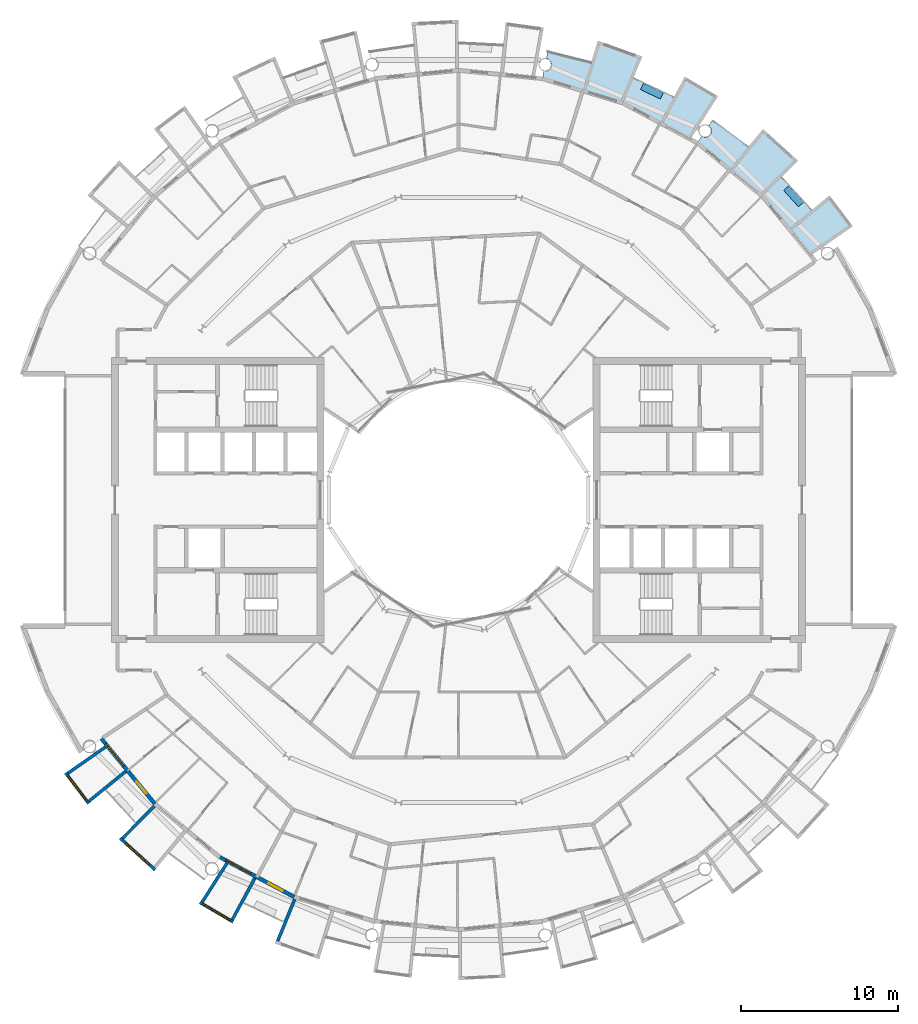
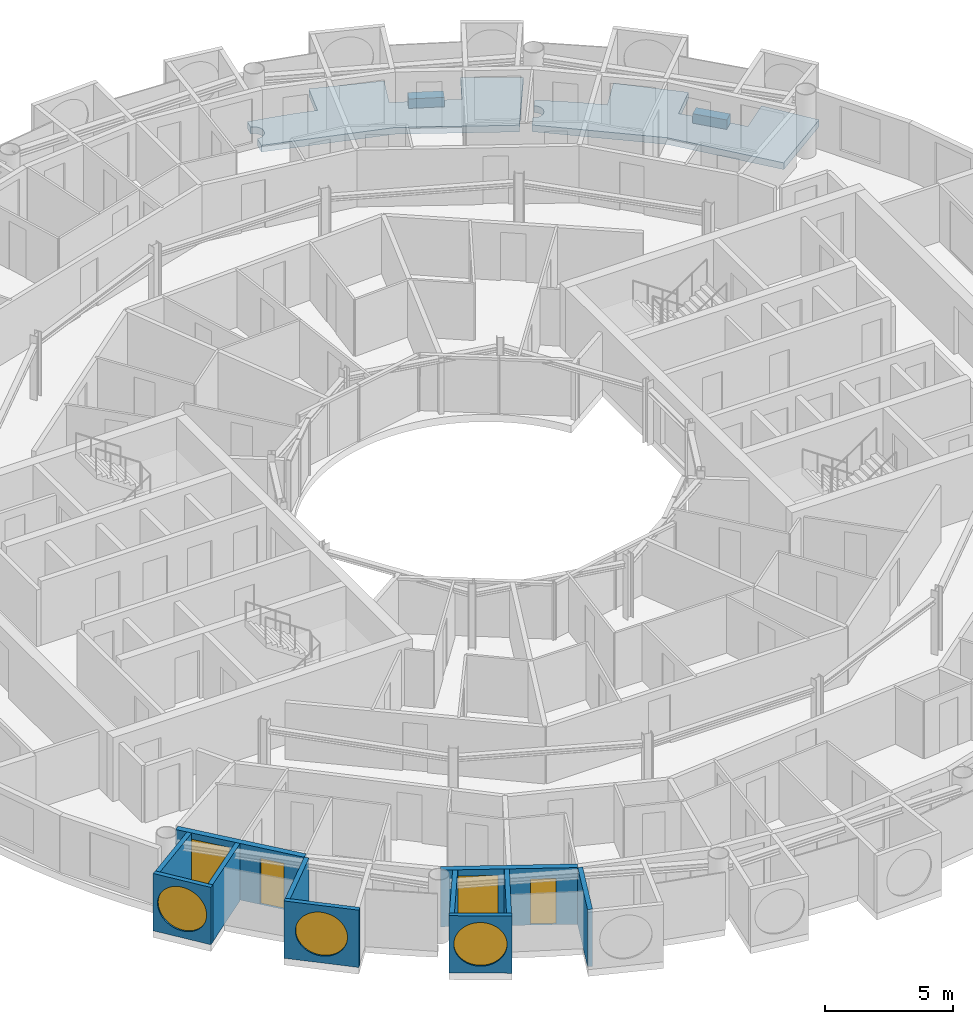
# One storey, part 14 of 29: 11 walls, 5 windows, 4 slabs, 2 doors, 7 openings.
"""IFC4 building model written with IfcOpenShell, lengths in metres."""

from ifc_helpers import new_model, si_unit, direction, frame, frame_2d, origin, place, context, subcontext, project, spatial, polyline, rectangle, circle, outline, extrude, material, layer, layer_set, type_object, element, fill, save


model = new_model("IFC4")

# Units and contexts
model_context = context("Model", 3, precision=1e-05, world=origin(), true_north=direction((0.0, 1.0)))
body_context = subcontext(model_context, "Body", "Model", "MODEL_VIEW")
ifc_project = project(units=[si_unit("LENGTHUNIT", "METRE"), si_unit("AREAUNIT", "SQUARE_METRE"), si_unit("VOLUMEUNIT", "CUBIC_METRE"), si_unit("PLANEANGLEUNIT", "RADIAN"), si_unit("MASSUNIT", "GRAM", prefix="KILO")], contexts=[model_context])

# Site, building, storey
site_placement = place(None, origin())
site = spatial("IfcSite", under=ifc_project, at=site_placement, CompositionType="ELEMENT")
building_placement = place(site_placement, origin())
building = spatial("IfcBuilding", under=site, at=building_placement, Name="Maasbend Ring Residences", CompositionType="ELEMENT")
storey_placement = place(building_placement, frame((0.0, 0.0, 202.39990234375)))
storey = spatial("IfcBuildingStorey", under=building, at=storey_placement, Name="L58", CompositionType="ELEMENT", Elevation=202.39990234375)

# Slabs
ifc_material_1 = material(Name="Planting with climbing greenery")
ifc_layer_1 = layer(ifc_material_1, 0.449951171875)
ifc_layer_set_1 = layer_set([ifc_layer_1], Name="PLANTER-LG")
slab_type_1 = type_object("IfcSlabType", Name="PLANTER-LG", PredefinedType="USERDEFINED", material=ifc_layer_set_1)
slab_1_placement = place(storey_placement, frame((0.0, 0.0, -0.02978515625)))
element("IfcSlab", 1, at=slab_1_placement, inside=storey, type_object=slab_type_1, Name="Planter with climbing greenery 1", ObjectType="PLANTER", PredefinedType="USERDEFINED", context=body_context, shape_type="SweptSolid", body=[
    extrude(outline(polyline([(21.931884765625, 18.93310546875), (20.991943359375, 19.969970703125), (20.657958984375, 19.66796875), (21.597900390625, 18.631103515625), (21.931884765625, 18.93310546875)])), origin(), (0.0, 0.0, 1.0), 0.449951171875),
])
slab_2_placement = place(storey_placement, frame((0.0, 0.0, -0.02978515625)))
element("IfcSlab", 2, at=slab_2_placement, inside=storey, type_object=slab_type_1, Name="Planter with climbing greenery 2", ObjectType="PLANTER", PredefinedType="USERDEFINED", context=body_context, shape_type="SweptSolid", body=[
    extrude(outline(polyline([(13.01708984375, 25.885009765625), (11.7509765625, 26.48291015625), (11.55908203125, 26.076904296875), (12.824951171875, 25.47802734375), (13.01708984375, 25.885009765625)])), origin(), (0.0, 0.0, 1.0), 0.449951171875),
])
ifc_material_2 = material(Name="Concrete C40/50", Category="concrete")
ifc_layer_2 = layer(ifc_material_2, 0.199951171875)
ifc_layer_set_2 = layer_set([ifc_layer_2], Name="Concrete C40/50")
slab_type_2 = type_object("IfcSlabType", Name="SL-LOGGIA", PredefinedType="FLOOR", material=ifc_layer_set_2)
slab_3_placement = place(storey_placement, frame((0.0, 0.0, -0.349853515625)))
element("IfcSlab", 3, at=slab_3_placement, inside=storey, type_object=slab_type_2, Name="Loggia floor 2", PredefinedType="FLOOR", context=body_context, shape_type="SweptSolid", body=[
    extrude(outline(polyline([(5.451904296875, 27.2548828125), (5.4619140625, 27.25390625), (5.471923828125, 27.2529296875), (5.48193359375, 27.251953125), (5.491943359375, 27.251953125), (5.501953125, 27.251953125), (5.510986328125, 27.251953125), (5.52099609375, 27.251953125), (5.531005859375, 27.2529296875), (5.541015625, 27.25390625), (5.551025390625, 27.2548828125), (5.56103515625, 27.256103515625), (5.571044921875, 27.258056640625), (5.5810546875, 27.259033203125), (5.591064453125, 27.260986328125), (5.60009765625, 27.263916015625), (5.610107421875, 27.26611328125), (5.6201171875, 27.26904296875), (5.62890625, 27.27197265625), (5.637939453125, 27.27490234375), (5.64794921875, 27.279052734375), (5.656982421875, 27.282958984375), (5.666015625, 27.285888671875), (5.675048828125, 27.291015625), (5.68408203125, 27.294921875), (5.693115234375, 27.300048828125), (5.701904296875, 27.303955078125), (5.7099609375, 27.30908203125), (5.718994140625, 27.31494140625), (5.72705078125, 27.320068359375), (5.736083984375, 27.325927734375), (5.743896484375, 27.33203125), (5.751953125, 27.337890625), (5.759033203125, 27.343994140625), (5.76708984375, 27.35009765625), (5.77392578125, 27.35693359375), (5.781982421875, 27.364013671875), (5.7890625, 27.37109375), (5.7958984375, 27.3779296875), (5.802978515625, 27.385009765625), (5.80908203125, 27.39306640625), (5.81591796875, 27.39990234375), (5.822021484375, 27.407958984375), (5.827880859375, 27.416015625), (5.833984375, 27.424072265625), (5.839111328125, 27.431884765625), (5.844970703125, 27.44091796875), (5.85009765625, 27.448974609375), (5.85498046875, 27.4580078125), (5.860107421875, 27.466064453125), (5.864990234375, 27.47509765625), (5.868896484375, 27.48388671875), (5.873046875, 27.492919921875), (5.876953125, 27.5029296875), (5.881103515625, 27.511962890625), (5.884033203125, 27.52099609375), (5.886962890625, 27.531005859375), (5.889892578125, 27.5400390625), (5.89306640625, 27.550048828125), (5.89599609375, 27.55908203125), (5.89794921875, 27.569091796875), (5.89990234375, 27.5791015625), (5.902099609375, 27.589111328125), (5.904052734375, 27.597900390625), (5.905029296875, 27.60791015625), (5.906005859375, 27.617919921875), (5.906982421875, 27.6279296875), (5.907958984375, 27.637939453125), (5.907958984375, 27.64794921875), (5.907958984375, 27.657958984375), (5.907958984375, 27.66796875), (5.907958984375, 27.677978515625), (5.906982421875, 27.68798828125), (5.906005859375, 27.697998046875), (5.905029296875, 27.7080078125), (5.904052734375, 27.718017578125), (5.902099609375, 27.72802734375), (5.89990234375, 27.737060546875), (5.89794921875, 27.7470703125), (5.89599609375, 27.757080078125), (5.89306640625, 27.76708984375), (5.889892578125, 27.77587890625), (5.886962890625, 27.785888671875), (5.884033203125, 27.794921875), (5.881103515625, 27.803955078125), (5.876953125, 27.81396484375), (5.873046875, 27.822998046875), (5.868896484375, 27.83203125), (5.864990234375, 27.841064453125), (5.860107421875, 27.85009765625), (5.85498046875, 27.85791015625), (5.85009765625, 27.866943359375), (5.844970703125, 27.8759765625), (5.839111328125, 27.884033203125), (5.833984375, 27.89208984375), (5.827880859375, 27.89990234375), (5.822021484375, 27.907958984375), (5.81591796875, 27.916015625), (5.80908203125, 27.924072265625), (5.802978515625, 27.930908203125), (5.7958984375, 27.93798828125), (5.7890625, 27.946044921875), (5.781982421875, 27.952880859375), (5.77392578125, 27.958984375), (5.76708984375, 27.966064453125), (5.759033203125, 27.971923828125), (5.751953125, 27.97900390625), (5.743896484375, 27.985107421875), (5.736083984375, 27.989990234375), (5.72705078125, 27.99609375), (5.718994140625, 28.001953125), (5.7099609375, 28.007080078125), (5.701904296875, 28.011962890625), (5.693115234375, 28.01708984375), (5.68408203125, 28.02099609375), (5.675048828125, 28.02587890625), (5.666015625, 28.030029296875), (5.656982421875, 28.033935546875), (5.64794921875, 28.037109375), (5.637939453125, 28.041015625), (5.62890625, 28.0439453125), (5.6201171875, 28.047119140625), (5.610107421875, 28.050048828125), (5.60009765625, 28.052001953125), (5.591064453125, 28.054931640625), (5.5810546875, 28.056884765625), (5.657958984375, 28.443115234375), (5.657958984375, 28.443115234375), (5.657958984375, 28.443115234375), (6.5849609375, 28.241943359375), (6.5849609375, 28.241943359375), (7.506103515625, 28.011962890625), (7.506103515625, 28.011962890625), (8.41796875, 27.7509765625), (8.41796875, 27.7509765625), (8.41796875, 27.7509765625), (8.41796875, 27.7509765625), (8.41796875, 27.7509765625), (8.41796875, 27.7509765625), (8.41796875, 27.7509765625), (8.41796875, 27.7509765625), (8.41796875, 27.7509765625), (8.41796875, 27.7509765625), (8.41796875, 27.751953125), (8.41796875, 27.751953125), (8.41796875, 27.751953125), (8.41796875, 27.751953125), (8.41796875, 27.751953125), (8.41796875, 27.751953125), (8.41796875, 27.751953125), (8.85400390625, 29.18701171875), (8.85400390625, 29.18701171875), (8.85400390625, 29.18701171875), (11.672119140625, 28.177978515625), (11.672119140625, 28.177978515625), (11.672119140625, 28.177978515625), (11.097900390625, 26.79296875), (11.097900390625, 26.79296875), (11.097900390625, 26.79296875), (11.097900390625, 26.79296875), (11.097900390625, 26.79296875), (11.097900390625, 26.79296875), (11.097900390625, 26.79296875), (11.097900390625, 26.79296875), (11.097900390625, 26.79296875), (11.097900390625, 26.79296875), (11.097900390625, 26.7919921875), (11.097900390625, 26.7919921875), (11.097900390625, 26.7919921875), (11.097900390625, 26.7919921875), (11.097900390625, 26.7919921875), (11.097900390625, 26.7919921875), (11.097900390625, 26.7919921875), (11.968994140625, 26.4150390625), (11.968994140625, 26.4150390625), (12.825927734375, 26.009033203125), (12.825927734375, 26.009033203125), (13.669921875, 25.575927734375), (13.669921875, 25.575927734375), (13.669921875, 25.575927734375), (13.669921875, 25.575927734375), (13.669921875, 25.575927734375), (13.669921875, 25.575927734375), (13.669921875, 25.575927734375), (13.669921875, 25.575927734375), (13.669921875, 25.575927734375), (13.669921875, 25.575927734375), (13.6708984375, 25.575927734375), (13.6708984375, 25.575927734375), (13.6708984375, 25.575927734375), (13.6708984375, 25.575927734375), (13.6708984375, 25.575927734375), (13.6708984375, 25.575927734375), (13.6708984375, 25.575927734375), (14.3779296875, 26.89892578125), (14.3779296875, 26.89892578125), (14.3779296875, 26.89892578125), (16.487060546875, 25.659912109375), (16.487060546875, 25.659912109375), (16.487060546875, 25.659912109375), (14.73291015625, 22.930908203125), (14.73291015625, 22.930908203125), (14.73291015625, 22.930908203125), (12.806884765625, 23.9609375), (10.447021484375, 25.221923828125), (10.447021484375, 25.221923828125), (10.447021484375, 25.221923828125), (7.886962890625, 25.9990234375), (5.325927734375, 26.77490234375), (5.325927734375, 26.77490234375), (5.325927734375, 26.77490234375), (5.422119140625, 27.259033203125), (5.431884765625, 27.258056640625), (5.44189453125, 27.256103515625), (5.451904296875, 27.2548828125)])), origin(), (0.0, 0.0, 1.0), 0.320068359375),
])
slab_4_placement = place(storey_placement, frame((0.0, 0.0, -0.349853515625)))
element("IfcSlab", 4, at=slab_4_placement, inside=storey, type_object=slab_type_2, Name="Loggia floor 5", PredefinedType="FLOOR", context=body_context, shape_type="SweptSolid", body=[
    extrude(outline(polyline([(15.4580078125, 23.09912109375), (15.467041015625, 23.093994140625), (15.47509765625, 23.089111328125), (15.48388671875, 23.083984375), (15.492919921875, 23.080078125), (15.501953125, 23.075927734375), (15.511962890625, 23.072021484375), (15.52099609375, 23.068115234375), (15.530029296875, 23.06494140625), (15.5400390625, 23.06103515625), (15.549072265625, 23.05810546875), (15.55908203125, 23.055908203125), (15.568115234375, 23.052978515625), (15.577880859375, 23.051025390625), (15.587890625, 23.049072265625), (15.597900390625, 23.047119140625), (15.60693359375, 23.044921875), (15.616943359375, 23.0439453125), (15.626953125, 23.04296875), (15.636962890625, 23.0419921875), (15.64697265625, 23.041015625), (15.656982421875, 23.041015625), (15.6669921875, 23.041015625), (15.677001953125, 23.041015625), (15.68701171875, 23.041015625), (15.697021484375, 23.0419921875), (15.70703125, 23.04296875), (15.717041015625, 23.0439453125), (15.72705078125, 23.044921875), (15.737060546875, 23.047119140625), (15.74609375, 23.049072265625), (15.756103515625, 23.051025390625), (15.76611328125, 23.052978515625), (15.77587890625, 23.055908203125), (15.784912109375, 23.05810546875), (15.794921875, 23.06103515625), (15.803955078125, 23.06494140625), (15.81298828125, 23.068115234375), (15.822998046875, 23.072021484375), (15.83203125, 23.075927734375), (15.841064453125, 23.080078125), (15.85009765625, 23.083984375), (15.85888671875, 23.089111328125), (15.866943359375, 23.093994140625), (15.8759765625, 23.09912109375), (15.885009765625, 23.10400390625), (15.89306640625, 23.10888671875), (15.90087890625, 23.114990234375), (15.908935546875, 23.12109375), (15.9169921875, 23.126953125), (15.925048828125, 23.133056640625), (15.93310546875, 23.139892578125), (15.93994140625, 23.14599609375), (15.947021484375, 23.153076171875), (15.955078125, 23.159912109375), (15.9619140625, 23.1669921875), (15.968017578125, 23.174072265625), (15.97509765625, 23.181884765625), (15.98095703125, 23.18994140625), (15.988037109375, 23.197021484375), (15.993896484375, 23.205078125), (15.9990234375, 23.212890625), (16.0048828125, 23.221923828125), (16.010986328125, 23.22998046875), (16.01611328125, 23.238037109375), (16.02099609375, 23.2470703125), (16.02587890625, 23.256103515625), (16.030029296875, 23.264892578125), (16.034912109375, 23.27392578125), (16.0390625, 23.282958984375), (16.04296875, 23.2919921875), (16.0458984375, 23.301025390625), (16.050048828125, 23.31005859375), (16.052978515625, 23.320068359375), (16.055908203125, 23.3291015625), (16.05908203125, 23.339111328125), (16.06103515625, 23.34912109375), (16.06396484375, 23.35791015625), (16.06591796875, 23.367919921875), (16.068115234375, 23.3779296875), (16.069091796875, 23.387939453125), (16.071044921875, 23.39794921875), (16.072021484375, 23.407958984375), (16.072021484375, 23.4169921875), (16.072998046875, 23.427001953125), (16.072998046875, 23.43701171875), (16.073974609375, 23.447021484375), (16.072998046875, 23.45703125), (16.072998046875, 23.467041015625), (16.072021484375, 23.47705078125), (16.072021484375, 23.487060546875), (16.071044921875, 23.4970703125), (16.069091796875, 23.507080078125), (16.068115234375, 23.51708984375), (16.06591796875, 23.527099609375), (16.06396484375, 23.535888671875), (16.06103515625, 23.5458984375), (16.05908203125, 23.555908203125), (16.055908203125, 23.56494140625), (16.052978515625, 23.574951171875), (16.050048828125, 23.583984375), (16.0458984375, 23.593994140625), (16.04296875, 23.60302734375), (16.0390625, 23.612060546875), (16.034912109375, 23.62109375), (16.030029296875, 23.6298828125), (16.02587890625, 23.638916015625), (16.02099609375, 23.64794921875), (16.01611328125, 23.656005859375), (16.010986328125, 23.6650390625), (16.0048828125, 23.673095703125), (15.9990234375, 23.680908203125), (15.993896484375, 23.68994140625), (15.988037109375, 23.697021484375), (15.98095703125, 23.705078125), (15.97509765625, 23.712890625), (15.968017578125, 23.719970703125), (15.9619140625, 23.72802734375), (15.955078125, 23.735107421875), (15.947021484375, 23.741943359375), (15.93994140625, 23.7490234375), (15.93310546875, 23.7548828125), (15.925048828125, 23.761962890625), (15.9169921875, 23.76806640625), (15.908935546875, 23.77392578125), (15.90087890625, 23.780029296875), (15.89306640625, 23.784912109375), (15.89306640625, 23.784912109375), (16.112060546875, 24.113037109375), (16.112060546875, 24.113037109375), (16.112060546875, 24.113037109375), (16.89208984375, 23.572998046875), (16.89208984375, 23.572998046875), (17.654052734375, 23.007080078125), (17.654052734375, 23.007080078125), (18.39697265625, 22.41796875), (18.39697265625, 22.41796875), (18.39697265625, 22.41796875), (18.39697265625, 22.41796875), (18.39697265625, 22.41796875), (18.39697265625, 22.41796875), (18.39697265625, 22.41796875), (18.39697265625, 22.41796875), (18.39697265625, 22.41796875), (18.39697265625, 22.41796875), (18.39697265625, 22.41796875), (18.39794921875, 22.41796875), (18.39794921875, 22.41796875), (18.39794921875, 22.41796875), (18.39794921875, 22.41796875), (18.39794921875, 22.41796875), (18.39794921875, 22.41796875), (19.34912109375, 23.576904296875), (19.34912109375, 23.576904296875), (19.34912109375, 23.576904296875), (21.56689453125, 21.56689453125), (21.56689453125, 21.56689453125), (21.56689453125, 21.56689453125), (20.506103515625, 20.506103515625), (20.506103515625, 20.506103515625), (20.506103515625, 20.506103515625), (20.506103515625, 20.506103515625), (20.506103515625, 20.506103515625), (20.506103515625, 20.506103515625), (20.506103515625, 20.506103515625), (20.506103515625, 20.506103515625), (20.506103515625, 20.506103515625), (20.506103515625, 20.506103515625), (20.506103515625, 20.506103515625), (20.506103515625, 20.506103515625), (20.506103515625, 20.506103515625), (20.506103515625, 20.506103515625), (20.506103515625, 20.506103515625), (20.506103515625, 20.506103515625), (20.506103515625, 20.506103515625), (21.166015625, 19.823974609375), (21.166015625, 19.823974609375), (21.802978515625, 19.12109375), (21.802978515625, 19.12109375), (22.4169921875, 18.39794921875), (22.4169921875, 18.39794921875), (22.4169921875, 18.39794921875), (22.4169921875, 18.39794921875), (22.4169921875, 18.39794921875), (22.4169921875, 18.39794921875), (22.4169921875, 18.39794921875), (22.4169921875, 18.39794921875), (22.4169921875, 18.39794921875), (22.4169921875, 18.39794921875), (22.4169921875, 18.39794921875), (22.4169921875, 18.39794921875), (22.41796875, 18.39794921875), (22.41796875, 18.39794921875), (22.41796875, 18.39794921875), (22.41796875, 18.39794921875), (22.41796875, 18.39794921875), (23.576904296875, 19.34912109375), (23.576904296875, 19.34912109375), (23.576904296875, 19.34912109375), (25.051025390625, 17.39794921875), (25.051025390625, 17.39794921875), (25.051025390625, 17.39794921875), (22.386962890625, 15.547119140625), (22.386962890625, 15.547119140625), (22.386962890625, 15.547119140625), (21.001953125, 17.236083984375), (19.303955078125, 19.303955078125), (19.303955078125, 19.303955078125), (19.303955078125, 19.303955078125), (17.236083984375, 21.001953125), (15.1669921875, 22.698974609375), (15.1669921875, 22.698974609375), (15.1669921875, 22.698974609375), (15.44091796875, 23.10888671875), (15.44091796875, 23.10888671875), (15.449951171875, 23.10400390625), (15.4580078125, 23.09912109375)])), origin(), (0.0, 0.0, 1.0), 0.320068359375),
])

# Wall, opening, window
ifc_material_3 = material(Name="Pale anodised aluminium panel", Category="aluminium")
ifc_layer_3 = layer(ifc_material_3, 0.199951171875)
ifc_layer_set_3 = layer_set([ifc_layer_3], Name="EW-BOX")
wall_type_1 = type_object("IfcWallType", Name="EW-BOX", PredefinedType="SOLIDWALL", material=ifc_layer_set_3)
wall_1_placement = place(storey_placement, frame((-24.971923828125, -17.3369140625, -0.02978515625), z_axis=(0.0, 0.0, 1.0), x_axis=(0.602806268067, -0.797887588059, 0.0)))
wall_1 = element("IfcWall", 5, at=wall_1_placement, inside=storey, type_object=wall_type_1, Name="Box front S01", PredefinedType="SOLIDWALL", context=body_context, shape_type="SweptSolid", body=[
    extrude(rectangle(XDim=2.446533203125, YDim=0.199951171875, at=frame_2d((1.22314453125, 0.0))), origin(), (0.0, 0.0, 1.0), 2.72998046875),
])
opening_1_placement = place(wall_1_placement, frame((0.182861328125, 0.0, 0.330078125)))
opening_1 = element("IfcOpeningElement", 6, at=opening_1_placement, cuts=wall_1, Name="Opening W-RD", PredefinedType="OPENING", context=body_context, shape_type="SweptSolid", body=[
    extrude(circle(Radius=1.0400390625, at=frame_2d((1.0400390625, 1.0400390625))), frame((0.0, 0.10986328125, 0.0), z_axis=(0.0, -1.0, 0.0), x_axis=(1.0, 0.0, 0.0)), (0.0, 0.0, 1.0), 0.219970703125),
])
ifc_material_4 = material(Name="Aluminium and clear glass", Category="aluminium")
window_type_1 = type_object("IfcWindowType", Name="W-RD", PartitioningType="SINGLE_PANEL", PredefinedType="WINDOW", material=ifc_material_4)
window_1_placement = place(opening_1_placement, origin())
window_1 = element("IfcWindow", 7, at=window_1_placement, inside=storey, type_object=window_type_1, Name="Round window S01", OverallHeight=2.080078125, OverallWidth=2.080078125, PartitioningType="SINGLE_PANEL", PredefinedType="WINDOW", context=body_context, shape_type="SweptSolid", body=[
    extrude(circle(Radius=1.0400390625, at=frame_2d((1.0400390625, 1.0400390625))), frame((0.0, 0.030029296875, 0.0), z_axis=(0.0, -1.0, 0.0), x_axis=(1.0, 0.0, 0.0)), (0.0, 0.0, 1.0), 0.06005859375),
])
fill(opening_1, window_1)

# Walls
wall_2_placement = place(storey_placement, frame((-22.43310546875, -15.68798828125, -0.02978515625), z_axis=(0.0, 0.0, 1.0), x_axis=(-0.819373043115, -0.573260687834, 0.0)))
element("IfcWall", 8, at=wall_2_placement, inside=storey, type_object=wall_type_1, Name="Box side wall S01 left", PredefinedType="SOLIDWALL", context=body_context, shape_type="SweptSolid", body=[
    extrude(rectangle(XDim=2.92529296875, YDim=0.199951171875, at=frame_2d((1.462646484375, 0.0))), origin(), (0.0, 0.0, 1.0), 2.72998046875),
])
wall_3_placement = place(storey_placement, frame((-21.155029296875, -17.24609375, -0.02978515625), z_axis=(0.0, 0.0, 1.0), x_axis=(-0.775179004516, -0.631741648902, 0.0)))
element("IfcWall", 9, at=wall_3_placement, inside=storey, type_object=wall_type_1, Name="Box side wall S01 right", PredefinedType="SOLIDWALL", context=body_context, shape_type="SweptSolid", body=[
    extrude(rectangle(XDim=3.005859375, YDim=0.199951171875, at=frame_2d((1.5029296875, 0.0))), origin(), (0.0, 0.0, 1.0), 2.72998046875),
])

# Wall, opening, window
wall_4_placement = place(storey_placement, frame((-21.5, -21.492919921875, -0.02978515625), z_axis=(0.0, 0.0, 1.0), x_axis=(0.740998365753, -0.671506829416, 0.0)))
wall_4 = element("IfcWall", 10, at=wall_4_placement, inside=storey, type_object=wall_type_1, Name="Box front S03", PredefinedType="SOLIDWALL", context=body_context, shape_type="SweptSolid", body=[
    extrude(rectangle(XDim=2.9931640625, YDim=0.199951171875, at=frame_2d((1.49658203125, 0.0))), origin(), (0.0, 0.0, 1.0), 2.72998046875),
])
opening_2_placement = place(wall_4_placement, frame((0.45654296875, 0.0, 0.330078125)))
opening_2 = element("IfcOpeningElement", 11, at=opening_2_placement, cuts=wall_4, Name="Opening W-RD", PredefinedType="OPENING", context=body_context, shape_type="SweptSolid", body=[
    extrude(circle(Radius=1.0400390625, at=frame_2d((1.0400390625, 1.0400390625))), frame((0.0, 0.10986328125, 0.0), z_axis=(0.0, -1.0, 0.0), x_axis=(1.0, 0.0, 0.0)), (0.0, 0.0, 1.0), 0.219970703125),
])
window_2_placement = place(opening_2_placement, origin())
window_2 = element("IfcWindow", 12, at=window_2_placement, inside=storey, type_object=window_type_1, Name="Round window S03", OverallHeight=2.080078125, OverallWidth=2.080078125, PartitioningType="SINGLE_PANEL", PredefinedType="WINDOW", context=body_context, shape_type="SweptSolid", body=[
    extrude(circle(Radius=1.0400390625, at=frame_2d((1.0400390625, 1.0400390625))), frame((0.0, 0.030029296875, 0.0), z_axis=(0.0, -1.0, 0.0), x_axis=(1.0, 0.0, 0.0)), (0.0, 0.0, 1.0), 0.06005859375),
])
fill(opening_2, window_2)

# Wall
wall_5_placement = place(storey_placement, frame((-19.322998046875, -19.449951171875, -0.02978515625), z_axis=(0.0, 0.0, 1.0), x_axis=(-0.704476739375, -0.709727076896, 0.0)))
element("IfcWall", 13, at=wall_5_placement, inside=storey, type_object=wall_type_1, Name="Box side wall S03 left", PredefinedType="SOLIDWALL", context=body_context, shape_type="SweptSolid", body=[
    extrude(rectangle(XDim=2.883056640625, YDim=0.199951171875, at=frame_2d((1.44140625, 0.0))), origin(), (0.0, 0.0, 1.0), 2.72998046875),
])

# Wall, opening, window
wall_6_placement = place(storey_placement, frame((-16.43603515625, -25.573974609375, -0.02978515625), z_axis=(0.0, 0.0, 1.0), x_axis=(0.862403467503, -0.506221551535, 0.0)))
wall_6 = element("IfcWall", 14, at=wall_6_placement, inside=storey, type_object=wall_type_1, Name="Box front S05", PredefinedType="SOLIDWALL", context=body_context, shape_type="SweptSolid", body=[
    extrude(rectangle(XDim=2.445556640625, YDim=0.199951171875, at=frame_2d((1.22265625, 0.0))), origin(), (0.0, 0.0, 1.0), 2.72998046875),
])
opening_3_placement = place(wall_6_placement, frame((0.182861328125, 0.0, 0.330078125)))
opening_3 = element("IfcOpeningElement", 15, at=opening_3_placement, cuts=wall_6, Name="Opening W-RD", PredefinedType="OPENING", context=body_context, shape_type="SweptSolid", body=[
    extrude(circle(Radius=1.0400390625, at=frame_2d((1.0400390625, 1.0400390625))), frame((0.0, 0.10986328125, 0.0), z_axis=(0.0, -1.0, 0.0), x_axis=(1.0, 0.0, 0.0)), (0.0, 0.0, 1.0), 0.219970703125),
])
window_3_placement = place(opening_3_placement, origin())
window_3 = element("IfcWindow", 16, at=window_3_placement, inside=storey, type_object=window_type_1, Name="Round window S05", OverallHeight=2.080078125, OverallWidth=2.080078125, PartitioningType="SINGLE_PANEL", PredefinedType="WINDOW", context=body_context, shape_type="SweptSolid", body=[
    extrude(circle(Radius=1.0400390625, at=frame_2d((1.0400390625, 1.0400390625))), frame((0.0, 0.030029296875, 0.0), z_axis=(0.0, -1.0, 0.0), x_axis=(1.0, 0.0, 0.0)), (0.0, 0.0, 1.0), 0.06005859375),
])
fill(opening_3, window_3)

# Walls
wall_7_placement = place(storey_placement, frame((-14.721923828125, -23.0791015625, -0.02978515625), z_axis=(0.0, 0.0, 1.0), x_axis=(-0.537572179146, -0.843217737129, 0.0)))
element("IfcWall", 17, at=wall_7_placement, inside=storey, type_object=wall_type_1, Name="Box side wall S05 left", PredefinedType="SOLIDWALL", context=body_context, shape_type="SweptSolid", body=[
    extrude(rectangle(XDim=2.92431640625, YDim=0.199951171875, at=frame_2d((1.462158203125, 0.0))), origin(), (0.0, 0.0, 1.0), 2.72998046875),
])
wall_8_placement = place(storey_placement, frame((-12.945068359375, -24.029052734375, -0.02978515625), z_axis=(0.0, 0.0, 1.0), x_axis=(-0.474424310775, -0.88029629861, 0.0)))
element("IfcWall", 18, at=wall_8_placement, inside=storey, type_object=wall_type_1, Name="Box side wall S05 right", PredefinedType="SOLIDWALL", context=body_context, shape_type="SweptSolid", body=[
    extrude(rectangle(XDim=3.005859375, YDim=0.199951171875, at=frame_2d((1.5029296875, 0.0))), origin(), (0.0, 0.0, 1.0), 2.72998046875),
])
wall_9_placement = place(storey_placement, frame((-10.408935546875, -25.364013671875, -0.02978515625), z_axis=(0.0, 0.0, 1.0), x_axis=(-0.379509886562, -0.925187681501, 0.0)))
element("IfcWall", 19, at=wall_9_placement, inside=storey, type_object=wall_type_1, Name="Box side wall S07 left", PredefinedType="SOLIDWALL", context=body_context, shape_type="SweptSolid", body=[
    extrude(rectangle(XDim=2.882568359375, YDim=0.199951171875, at=frame_2d((1.44140625, 0.0))), origin(), (0.0, 0.0, 1.0), 2.72998046875),
])

# Wall, openings, door, window
ifc_material_5 = material(Name="Aluminium clad insulated panel", Category="aluminium")
ifc_layer_4 = layer(ifc_material_5, 0.25)
ifc_layer_set_4 = layer_set([ifc_layer_4], Name="EW-GL")
wall_type_2 = type_object("IfcWallType", Name="EW-GL", PredefinedType="SOLIDWALL", material=ifc_layer_set_4)
wall_10_placement = place(storey_placement, frame((-22.698974609375, -15.1669921875, 0.0), z_axis=(0.0, 0.0, 1.0), x_axis=(0.634382322723, -0.773019449054, 0.0)))
wall_10 = element("IfcWall", 20, at=wall_10_placement, inside=storey, type_object=wall_type_2, Name="External wall S01", PredefinedType="SOLIDWALL", context=body_context, shape_type="SweptSolid", body=[
    extrude(rectangle(XDim=5.351806640625, YDim=0.25, at=frame_2d((2.67578125, 0.0))), origin(), (0.0, 0.0, 1.0), 2.7001953125),
])
opening_4_placement = place(wall_10_placement, frame((0.441162109375, 0.0, 0.300048828125)))
opening_4 = element("IfcOpeningElement", 21, at=opening_4_placement, cuts=wall_10, Name="Opening W-BX", PredefinedType="OPENING", context=body_context, shape_type="SweptSolid", body=[
    extrude(rectangle(XDim=1.800048828125, YDim=2.10009765625, at=frame_2d((0.89990234375, 1.050048828125))), frame((0.0, 0.135009765625, 0.0), z_axis=(0.0, -1.0, 0.0), x_axis=(1.0, 0.0, 0.0)), (0.0, 0.0, 1.0), 0.27001953125),
])
opening_5_placement = place(wall_10_placement, frame((3.510498046875, 0.0, 0.0)))
opening_5 = element("IfcOpeningElement", 22, at=opening_5_placement, cuts=wall_10, Name="Opening D-LG", PredefinedType="OPENING", context=body_context, shape_type="SweptSolid", body=[
    extrude(rectangle(XDim=1.0, YDim=2.199951171875, at=frame_2d((0.5, 1.10009765625))), frame((0.0, 0.135009765625, 0.0), z_axis=(0.0, -1.0, 0.0), x_axis=(1.0, 0.0, 0.0)), (0.0, 0.0, 1.0), 0.27001953125),
])
ifc_material_6 = material(Name="Aluminium and clear glass", Category="aluminium")
door_type = type_object("IfcDoorType", Name="D-LG", OperationType="SINGLE_SWING_LEFT", PredefinedType="DOOR", material=ifc_material_6)
door_1_placement = place(opening_5_placement, origin())
door_1 = element("IfcDoor", 23, at=door_1_placement, inside=storey, type_object=door_type, Name="Loggia door S02", OperationType="SINGLE_SWING_LEFT", OverallHeight=2.199951171875, OverallWidth=1.0, PredefinedType="DOOR", context=body_context, shape_type="SweptSolid", body=[
    extrude(rectangle(XDim=1.0, YDim=2.199951171875, at=frame_2d((0.5, 1.10009765625))), frame((0.0, 0.02490234375, 0.0), z_axis=(0.0, -1.0, 0.0), x_axis=(1.0, 0.0, 0.0)), (0.0, 0.0, 1.0), 0.050048828125),
])
fill(opening_5, door_1)
ifc_material_7 = material(Name="Aluminium and clear glass", Category="aluminium")
window_type_2 = type_object("IfcWindowType", Name="W-BX", PartitioningType="DOUBLE_PANEL_VERTICAL", PredefinedType="WINDOW", material=ifc_material_7)
window_4_placement = place(opening_4_placement, origin())
window_4 = element("IfcWindow", 24, at=window_4_placement, inside=storey, type_object=window_type_2, Name="Window S01 room to box", OverallHeight=2.10009765625, OverallWidth=1.800048828125, PartitioningType="SINGLE_PANEL", PredefinedType="WINDOW", context=body_context, shape_type="SweptSolid", body=[
    extrude(rectangle(XDim=1.800048828125, YDim=2.10009765625, at=frame_2d((0.89990234375, 1.050048828125))), frame((0.0, 0.030029296875, 0.0), z_axis=(0.0, -1.0, 0.0), x_axis=(1.0, 0.0, 0.0)), (0.0, 0.0, 1.0), 0.06005859375),
])
fill(opening_4, window_4)

wall_11_placement = place(storey_placement, frame((-15.1669921875, -22.698974609375, 0.0), z_axis=(0.0, 0.0, 1.0), x_axis=(0.881915646801, -0.471407246368, 0.0)))
wall_11 = element("IfcWall", 25, at=wall_11_placement, inside=storey, type_object=wall_type_2, Name="External wall S03", PredefinedType="SOLIDWALL", context=body_context, shape_type="SweptSolid", body=[
    extrude(rectangle(XDim=5.35205078125, YDim=0.25, at=frame_2d((2.676025390625, 0.0))), origin(), (0.0, 0.0, 1.0), 2.7001953125),
])
opening_6_placement = place(wall_11_placement, frame((0.441162109375, 0.0, 0.300048828125)))
opening_6 = element("IfcOpeningElement", 26, at=opening_6_placement, cuts=wall_11, Name="Opening W-BX", PredefinedType="OPENING", context=body_context, shape_type="SweptSolid", body=[
    extrude(rectangle(XDim=1.800048828125, YDim=2.10009765625, at=frame_2d((0.89990234375, 1.050048828125))), frame((0.0, 0.135009765625, 0.0), z_axis=(0.0, -1.0, 0.0), x_axis=(1.0, 0.0, 0.0)), (0.0, 0.0, 1.0), 0.27001953125),
])
opening_7_placement = place(wall_11_placement, frame((3.510498046875, 0.0, 0.0)))
opening_7 = element("IfcOpeningElement", 27, at=opening_7_placement, cuts=wall_11, Name="Opening D-LG", PredefinedType="OPENING", context=body_context, shape_type="SweptSolid", body=[
    extrude(rectangle(XDim=1.0, YDim=2.199951171875, at=frame_2d((0.5, 1.10009765625))), frame((0.0, 0.135009765625, 0.0), z_axis=(0.0, -1.0, 0.0), x_axis=(1.0, 0.0, 0.0)), (0.0, 0.0, 1.0), 0.27001953125),
])
door_2_placement = place(opening_7_placement, origin())
door_2 = element("IfcDoor", 28, at=door_2_placement, inside=storey, type_object=door_type, Name="Loggia door S06", OperationType="SINGLE_SWING_LEFT", OverallHeight=2.199951171875, OverallWidth=1.0, PredefinedType="DOOR", context=body_context, shape_type="SweptSolid", body=[
    extrude(rectangle(XDim=1.0, YDim=2.199951171875, at=frame_2d((0.5, 1.10009765625))), frame((0.0, 0.02490234375, 0.0), z_axis=(0.0, -1.0, 0.0), x_axis=(1.0, 0.0, 0.0)), (0.0, 0.0, 1.0), 0.050048828125),
])
fill(opening_7, door_2)
window_5_placement = place(opening_6_placement, origin())
window_5 = element("IfcWindow", 29, at=window_5_placement, inside=storey, type_object=window_type_2, Name="Window S05 room to box", OverallHeight=2.10009765625, OverallWidth=1.800048828125, PartitioningType="SINGLE_PANEL", PredefinedType="WINDOW", context=body_context, shape_type="SweptSolid", body=[
    extrude(rectangle(XDim=1.800048828125, YDim=2.10009765625, at=frame_2d((0.89990234375, 1.050048828125))), frame((0.0, 0.030029296875, 0.0), z_axis=(0.0, -1.0, 0.0), x_axis=(1.0, 0.0, 0.0)), (0.0, 0.0, 1.0), 0.06005859375),
])
fill(opening_6, window_5)

save(model, "model.ifc")
